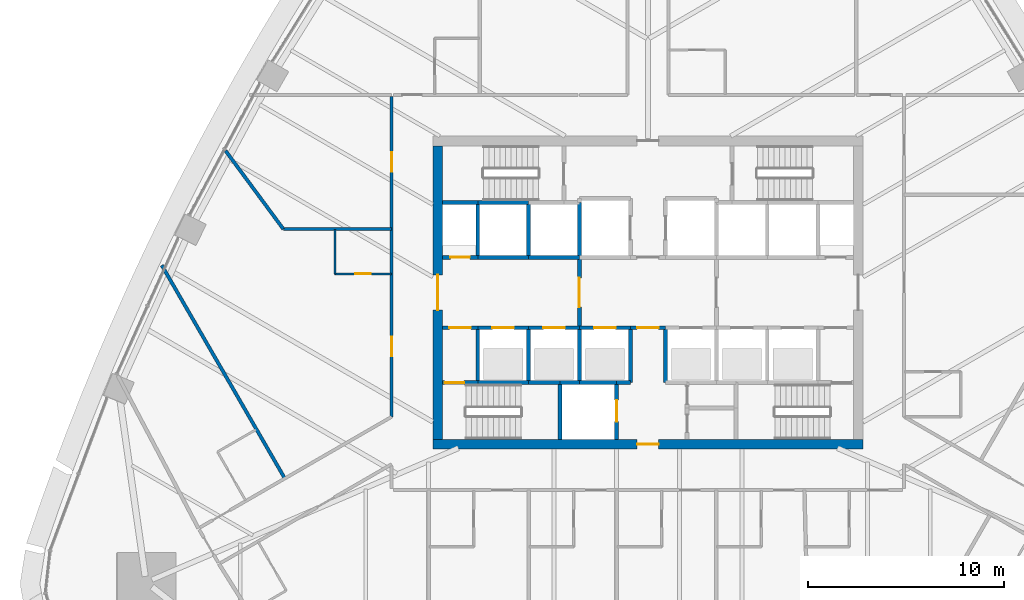
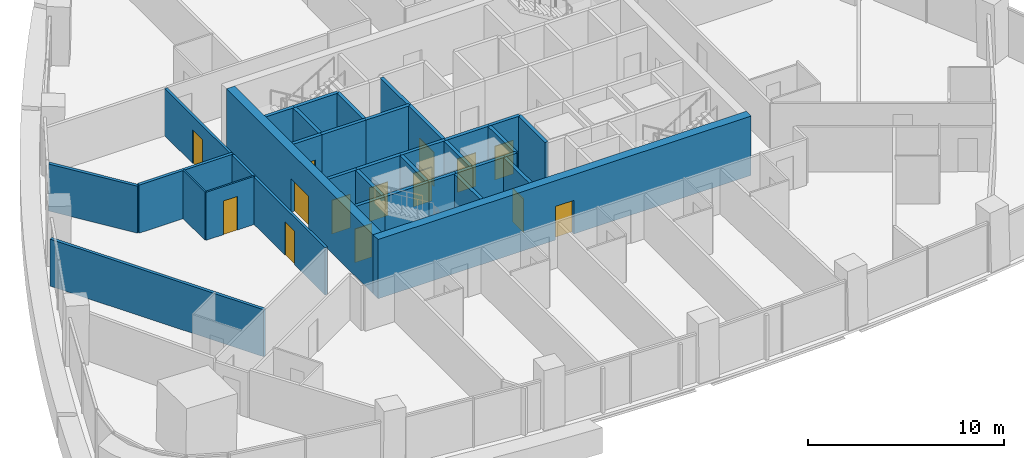
# One storey, part 10 of 17: 35 walls, 14 doors, 14 openings.
"""IFC4 building model written with IfcOpenShell, lengths in metres."""

from ifc_helpers import new_model, si_unit, direction, frame, frame_2d, origin, place, context, subcontext, project, spatial, rectangle, extrude, material, layer, layer_set, type_object, element, fill, save


model = new_model("IFC4")

# Units and contexts
model_context = context("Model", 3, precision=1e-05, world=origin(), true_north=direction((0.0, 1.0)))
body_context = subcontext(model_context, "Body", "Model", "MODEL_VIEW")
ifc_project = project(units=[si_unit("LENGTHUNIT", "METRE"), si_unit("AREAUNIT", "SQUARE_METRE"), si_unit("VOLUMEUNIT", "CUBIC_METRE"), si_unit("PLANEANGLEUNIT", "RADIAN"), si_unit("MASSUNIT", "GRAM", prefix="KILO")], contexts=[model_context])

# Site, building, storey
site_placement = place(None, origin())
site = spatial("IfcSite", under=ifc_project, at=site_placement, CompositionType="ELEMENT")
building_placement = place(site_placement, origin())
building = spatial("IfcBuilding", under=site, at=building_placement, Name="Sierra Prisma Convention Tower", CompositionType="ELEMENT")
storey_placement = place(building_placement, frame((0.0, 0.0, 99.800048828125)))
storey = spatial("IfcBuildingStorey", under=building, at=storey_placement, Name="L21", CompositionType="ELEMENT", Elevation=99.800048828125)

# Wall, opening, door
ifc_material_1 = material(Name="Gypsum board partition", Category="gypsum")
ifc_layer_1 = layer(ifc_material_1, 0.10009765625)
ifc_layer_set_1 = layer_set([ifc_layer_1], Name="Bathroom partition 100")
wall_type_1 = type_object("IfcWallType", Name="Bathroom partition 100", PredefinedType="PARTITIONING", material=ifc_layer_set_1)
wall_1_placement = place(storey_placement, frame((-13.1298828125, 0.94921875, 0.0), z_axis=(0.0, 0.0, 1.0), x_axis=(-1.0, 0.0, 0.0)))
wall_1 = element("IfcWall", 1, at=wall_1_placement, inside=storey, type_object=wall_type_1, Name="Partition L21 bath 5", PredefinedType="PARTITIONING", context=body_context, shape_type="SweptSolid", body=[
    extrude(rectangle(XDim=2.8701171875, YDim=0.10009765625, at=frame_2d((1.43505859375, 0.0))), origin(), (0.0, 0.0, 1.0), 3.0),
])
opening_1_placement = place(wall_1_placement, frame((1.034912109375, 0.0, 0.0)))
opening_1 = element("IfcOpeningElement", 2, at=opening_1_placement, cuts=wall_1, Name="Opening L21-D004", PredefinedType="OPENING", context=body_context, shape_type="SweptSolid", body=[
    extrude(rectangle(XDim=0.800048828125, YDim=2.10009765625, at=frame_2d((0.39990234375, 1.050048828125))), frame((0.0, 0.050048828125, 0.0), z_axis=(0.0, -1.0, 0.0), x_axis=(1.0, 0.0, 0.0)), (0.0, 0.0, 1.0), 0.10009765625),
])
ifc_material_2 = material(Name="Solid core timber door leaf", Category="wood")
door_type_1 = type_object("IfcDoorType", Name="Door 800x2100 plain", OperationType="SINGLE_SWING_LEFT", PredefinedType="DOOR", material=ifc_material_2)
door_1_placement = place(opening_1_placement, origin())
door_1 = element("IfcDoor", 3, at=door_1_placement, inside=storey, type_object=door_type_1, Name="Door L21 11", OperationType="SINGLE_SWING_LEFT", OverallHeight=2.10009765625, OverallWidth=0.800048828125, PredefinedType="DOOR", context=body_context, shape_type="SweptSolid", body=[
    extrude(rectangle(XDim=0.800048828125, YDim=2.10009765625, at=frame_2d((0.39990234375, 1.050048828125))), frame((0.0, 0.02490234375, 0.0), z_axis=(0.0, -1.0, 0.0), x_axis=(1.0, 0.0, 0.0)), (0.0, 0.0, 1.0), 0.050048828125),
])
fill(opening_1, door_1)

# Wall
wall_2_placement = place(storey_placement, frame((-16.0, 0.94921875, 0.0), z_axis=(0.0, 0.0, 1.0), x_axis=(0.0, 1.0, 0.0)))
element("IfcWall", 4, at=wall_2_placement, inside=storey, type_object=wall_type_1, Name="Partition L21 bath 6", PredefinedType="PARTITIONING", context=body_context, shape_type="SweptSolid", body=[
    extrude(rectangle(XDim=2.269775390625, YDim=0.10009765625, at=frame_2d((1.134765625, 0.0))), origin(), (0.0, 0.0, 1.0), 3.0),
])

# Wall, opening, door
ifc_material_3 = material(Name="Concrete C30/37", Category="concrete")
ifc_layer_2 = layer(ifc_material_3, 0.199951171875)
ifc_layer_set_2 = layer_set([ifc_layer_2], Name="Core wall RC 200 C30/37")
wall_type_2 = type_object("IfcWallType", Name="Core wall RC 200 C30/37", PredefinedType="SOLIDWALL", material=ifc_layer_set_2)
wall_3_placement = place(storey_placement, frame((-10.5, -4.60009765625, 0.0), z_axis=(0.0, 0.0, 1.0), x_axis=(1.0, 0.0, 0.0)))
wall_3 = element("IfcWall", 5, at=wall_3_placement, inside=storey, type_object=wall_type_2, Name="Core wall L21 1", PredefinedType="SOLIDWALL", context=body_context, shape_type="SweptSolid", body=[
    extrude(rectangle(XDim=1.800048828125, YDim=0.199951171875, at=frame_2d((0.89990234375, 0.0))), origin(), (0.0, 0.0, 1.0), 3.550048828125),
])
opening_2_placement = place(wall_3_placement, frame((0.10009765625, 0.0, 0.0)))
opening_2 = element("IfcOpeningElement", 6, at=opening_2_placement, cuts=wall_3, Name="Opening L21-D032", PredefinedType="OPENING", context=body_context, shape_type="SweptSolid", body=[
    extrude(rectangle(XDim=1.0, YDim=2.10009765625, at=frame_2d((0.5, 1.050048828125))), frame((0.0, 0.10009765625, 0.0), z_axis=(0.0, -1.0, 0.0), x_axis=(1.0, 0.0, 0.0)), (0.0, 0.0, 1.0), 0.199951171875),
])
ifc_material_4 = material(Name="Steel fire door leaf", Category="steel")
door_type_2 = type_object("IfcDoorType", Name="Door 1000x2100 FD90S", OperationType="SINGLE_SWING_LEFT", PredefinedType="DOOR", material=ifc_material_4)
door_2_placement = place(opening_2_placement, origin())
door_2 = element("IfcDoor", 7, at=door_2_placement, inside=storey, type_object=door_type_2, Name="Door L21 51", OperationType="SINGLE_SWING_LEFT", OverallHeight=2.10009765625, OverallWidth=1.0, PredefinedType="DOOR", context=body_context, shape_type="SweptSolid", body=[
    extrude(rectangle(XDim=1.0, YDim=2.10009765625, at=frame_2d((0.5, 1.050048828125))), frame((0.0, 0.02490234375, 0.0), z_axis=(0.0, -1.0, 0.0), x_axis=(1.0, 0.0, 0.0)), (0.0, 0.0, 1.0), 0.050048828125),
])
fill(opening_2, door_2)

wall_4_placement = place(storey_placement, frame((-10.5, -1.800048828125, 0.0), z_axis=(0.0, 0.0, 1.0), x_axis=(1.0, 0.0, 0.0)))
wall_4 = element("IfcWall", 8, at=wall_4_placement, inside=storey, type_object=wall_type_2, Name="Core wall L21 2", PredefinedType="SOLIDWALL", context=body_context, shape_type="SweptSolid", body=[
    extrude(rectangle(XDim=1.800048828125, YDim=0.199951171875, at=frame_2d((0.89990234375, 0.0))), origin(), (0.0, 0.0, 1.0), 3.550048828125),
])
opening_3_placement = place(wall_4_placement, frame((0.35009765625, 0.0, 0.0)))
opening_3 = element("IfcOpeningElement", 9, at=opening_3_placement, cuts=wall_4, Name="Opening L21-D026", PredefinedType="OPENING", context=body_context, shape_type="SweptSolid", body=[
    extrude(rectangle(XDim=1.10009765625, YDim=2.10009765625, at=frame_2d((0.550048828125, 1.050048828125))), frame((0.0, 0.10009765625, 0.0), z_axis=(0.0, -1.0, 0.0), x_axis=(1.0, 0.0, 0.0)), (0.0, 0.0, 1.0), 0.199951171875),
])
ifc_material_5 = material(Name="Steel fire door leaf", Category="steel")
door_type_3 = type_object("IfcDoorType", Name="Door 1100x2100 FD90S", OperationType="SINGLE_SWING_LEFT", PredefinedType="DOOR", material=ifc_material_5)
door_3_placement = place(opening_3_placement, origin())
door_3 = element("IfcDoor", 10, at=door_3_placement, inside=storey, type_object=door_type_3, Name="Door L21 45", OperationType="SINGLE_SWING_LEFT", OverallHeight=2.10009765625, OverallWidth=1.10009765625, PredefinedType="DOOR", context=body_context, shape_type="SweptSolid", body=[
    extrude(rectangle(XDim=1.10009765625, YDim=2.10009765625, at=frame_2d((0.550048828125, 1.050048828125))), frame((0.0, 0.02490234375, 0.0), z_axis=(0.0, -1.0, 0.0), x_axis=(1.0, 0.0, 0.0)), (0.0, 0.0, 1.0), 0.050048828125),
])
fill(opening_3, door_3)

wall_5_placement = place(storey_placement, frame((-8.699951171875, 1.800048828125, 0.0), z_axis=(0.0, 0.0, 1.0), x_axis=(-1.0, 0.0, 0.0)))
wall_5 = element("IfcWall", 11, at=wall_5_placement, inside=storey, type_object=wall_type_2, Name="Core wall L21 3", PredefinedType="SOLIDWALL", context=body_context, shape_type="SweptSolid", body=[
    extrude(rectangle(XDim=1.800048828125, YDim=0.199951171875, at=frame_2d((0.89990234375, 0.0))), origin(), (0.0, 0.0, 1.0), 3.550048828125),
])
opening_4_placement = place(wall_5_placement, frame((0.39990234375, 0.0, 0.0)))
opening_4 = element("IfcOpeningElement", 12, at=opening_4_placement, cuts=wall_5, Name="Opening L21-D030", PredefinedType="OPENING", context=body_context, shape_type="SweptSolid", body=[
    extrude(rectangle(XDim=1.0, YDim=2.10009765625, at=frame_2d((0.5, 1.050048828125))), frame((0.0, 0.10009765625, 0.0), z_axis=(0.0, -1.0, 0.0), x_axis=(1.0, 0.0, 0.0)), (0.0, 0.0, 1.0), 0.199951171875),
])
ifc_material_6 = material(Name="Steel fire door leaf", Category="steel")
door_type_4 = type_object("IfcDoorType", Name="Door 1000x2100 FD60S", OperationType="SINGLE_SWING_LEFT", PredefinedType="DOOR", material=ifc_material_6)
door_4_placement = place(opening_4_placement, origin())
door_4 = element("IfcDoor", 13, at=door_4_placement, inside=storey, type_object=door_type_4, Name="Door L21 49", OperationType="SINGLE_SWING_RIGHT", OverallHeight=2.10009765625, OverallWidth=1.0, PredefinedType="DOOR", context=body_context, shape_type="SweptSolid", body=[
    extrude(rectangle(XDim=1.0, YDim=2.10009765625, at=frame_2d((0.5, 1.050048828125))), frame((0.0, 0.02490234375, 0.0), z_axis=(0.0, -1.0, 0.0), x_axis=(1.0, 0.0, 0.0)), (0.0, 0.0, 1.0), 0.050048828125),
])
fill(opening_4, door_4)

# Walls
wall_6_placement = place(storey_placement, frame((-8.699951171875, 4.60009765625, 0.0), z_axis=(0.0, 0.0, 1.0), x_axis=(-1.0, 0.0, 0.0)))
element("IfcWall", 14, at=wall_6_placement, inside=storey, type_object=wall_type_2, Name="Core wall L21 4", PredefinedType="SOLIDWALL", context=body_context, shape_type="SweptSolid", body=[
    extrude(rectangle(XDim=1.800048828125, YDim=0.199951171875, at=frame_2d((0.89990234375, 0.0))), origin(), (0.0, 0.0, 1.0), 3.550048828125),
])
wall_7_placement = place(storey_placement, frame((-8.699951171875, -4.60009765625, 0.0), z_axis=(0.0, 0.0, 1.0), x_axis=(1.0, 0.0, 0.0)))
element("IfcWall", 15, at=wall_7_placement, inside=storey, type_object=wall_type_2, Name="Core wall L21 5", PredefinedType="SOLIDWALL", context=body_context, shape_type="SweptSolid", body=[
    extrude(rectangle(XDim=2.599853515625, YDim=0.199951171875, at=frame_2d((1.2998046875, 0.0))), origin(), (0.0, 0.0, 1.0), 3.550048828125),
])
wall_8_placement = place(storey_placement, frame((-8.699951171875, -4.60009765625, 0.0), z_axis=(0.0, 0.0, 1.0), x_axis=(0.0, 1.0, 0.0)))
element("IfcWall", 16, at=wall_8_placement, inside=storey, type_object=wall_type_2, Name="Core wall L21 6", PredefinedType="SOLIDWALL", context=body_context, shape_type="SweptSolid", body=[
    extrude(rectangle(XDim=2.800048828125, YDim=0.199951171875, at=frame_2d((1.39990234375, 0.0))), origin(), (0.0, 0.0, 1.0), 3.550048828125),
])

# Wall, opening, door
wall_9_placement = place(storey_placement, frame((-8.699951171875, -1.800048828125, 0.0), z_axis=(0.0, 0.0, 1.0), x_axis=(1.0, 0.0, 0.0)))
wall_9 = element("IfcWall", 17, at=wall_9_placement, inside=storey, type_object=wall_type_2, Name="Core wall L21 7", PredefinedType="SOLIDWALL", context=body_context, shape_type="SweptSolid", body=[
    extrude(rectangle(XDim=2.599853515625, YDim=0.199951171875, at=frame_2d((1.2998046875, 0.0))), origin(), (0.0, 0.0, 1.0), 3.550048828125),
])
opening_5_placement = place(wall_9_placement, frame((0.75, 0.0, 0.0)))
opening_5 = element("IfcOpeningElement", 18, at=opening_5_placement, cuts=wall_9, Name="Opening L21-D015", PredefinedType="OPENING", context=body_context, shape_type="SweptSolid", body=[
    extrude(rectangle(XDim=1.10009765625, YDim=2.10009765625, at=frame_2d((0.550048828125, 1.050048828125))), frame((0.0, 0.10009765625, 0.0), z_axis=(0.0, -1.0, 0.0), x_axis=(1.0, 0.0, 0.0)), (0.0, 0.0, 1.0), 0.199951171875),
])
ifc_material_7 = material(Name="Steel fire door leaf", Category="steel")
door_type_5 = type_object("IfcDoorType", Name="Door 1100x2100 EI 90 sliding lift landing", OperationType="SLIDING_TO_LEFT", PredefinedType="DOOR", material=ifc_material_7)
door_5_placement = place(opening_5_placement, origin())
door_5 = element("IfcDoor", 19, at=door_5_placement, inside=storey, type_object=door_type_5, Name="Door L21 34", OperationType="SLIDING_TO_RIGHT", OverallHeight=2.10009765625, OverallWidth=1.10009765625, PredefinedType="DOOR", context=body_context, shape_type="SweptSolid", body=[
    extrude(rectangle(XDim=1.10009765625, YDim=2.10009765625, at=frame_2d((0.550048828125, 1.050048828125))), frame((0.0, 0.02490234375, 0.0), z_axis=(0.0, -1.0, 0.0), x_axis=(1.0, 0.0, 0.0)), (0.0, 0.0, 1.0), 0.050048828125),
])
fill(opening_5, door_5)

# Walls
wall_10_placement = place(storey_placement, frame((-6.10009765625, 1.800048828125, 0.0), z_axis=(0.0, 0.0, 1.0), x_axis=(-1.0, 0.0, 0.0)))
element("IfcWall", 20, at=wall_10_placement, inside=storey, type_object=wall_type_2, Name="Core wall L21 8", PredefinedType="SOLIDWALL", context=body_context, shape_type="SweptSolid", body=[
    extrude(rectangle(XDim=2.599853515625, YDim=0.199951171875, at=frame_2d((1.2998046875, 0.0))), origin(), (0.0, 0.0, 1.0), 3.550048828125),
])
wall_11_placement = place(storey_placement, frame((-8.699951171875, 1.800048828125, 0.0), z_axis=(0.0, 0.0, 1.0), x_axis=(0.0, 1.0, 0.0)))
element("IfcWall", 21, at=wall_11_placement, inside=storey, type_object=wall_type_2, Name="Core wall L21 9", PredefinedType="SOLIDWALL", context=body_context, shape_type="SweptSolid", body=[
    extrude(rectangle(XDim=2.800048828125, YDim=0.199951171875, at=frame_2d((1.39990234375, 0.0))), origin(), (0.0, 0.0, 1.0), 3.550048828125),
])
wall_12_placement = place(storey_placement, frame((-6.10009765625, 4.60009765625, 0.0), z_axis=(0.0, 0.0, 1.0), x_axis=(-1.0, 0.0, 0.0)))
element("IfcWall", 22, at=wall_12_placement, inside=storey, type_object=wall_type_2, Name="Core wall L21 10", PredefinedType="SOLIDWALL", context=body_context, shape_type="SweptSolid", body=[
    extrude(rectangle(XDim=2.599853515625, YDim=0.199951171875, at=frame_2d((1.2998046875, 0.0))), origin(), (0.0, 0.0, 1.0), 3.550048828125),
])
wall_13_placement = place(storey_placement, frame((-6.10009765625, -4.60009765625, 0.0), z_axis=(0.0, 0.0, 1.0), x_axis=(1.0, 0.0, 0.0)))
element("IfcWall", 23, at=wall_13_placement, inside=storey, type_object=wall_type_2, Name="Core wall L21 11", PredefinedType="SOLIDWALL", context=body_context, shape_type="SweptSolid", body=[
    extrude(rectangle(XDim=1.60009765625, YDim=0.199951171875, at=frame_2d((0.800048828125, 0.0))), origin(), (0.0, 0.0, 1.0), 3.550048828125),
])
wall_14_placement = place(storey_placement, frame((-6.10009765625, -4.60009765625, 0.0), z_axis=(0.0, 0.0, 1.0), x_axis=(0.0, 1.0, 0.0)))
element("IfcWall", 24, at=wall_14_placement, inside=storey, type_object=wall_type_2, Name="Core wall L21 12", PredefinedType="SOLIDWALL", context=body_context, shape_type="SweptSolid", body=[
    extrude(rectangle(XDim=2.800048828125, YDim=0.199951171875, at=frame_2d((1.39990234375, 0.0))), origin(), (0.0, 0.0, 1.0), 3.550048828125),
])

# Wall, opening, door
wall_15_placement = place(storey_placement, frame((-6.10009765625, -1.800048828125, 0.0), z_axis=(0.0, 0.0, 1.0), x_axis=(1.0, 0.0, 0.0)))
wall_15 = element("IfcWall", 25, at=wall_15_placement, inside=storey, type_object=wall_type_2, Name="Core wall L21 13", PredefinedType="SOLIDWALL", context=body_context, shape_type="SweptSolid", body=[
    extrude(rectangle(XDim=2.60009765625, YDim=0.199951171875, at=frame_2d((1.300048828125, 0.0))), origin(), (0.0, 0.0, 1.0), 3.550048828125),
])
opening_6_placement = place(wall_15_placement, frame((0.75, 0.0, 0.0)))
opening_6 = element("IfcOpeningElement", 26, at=opening_6_placement, cuts=wall_15, Name="Opening L21-D016", PredefinedType="OPENING", context=body_context, shape_type="SweptSolid", body=[
    extrude(rectangle(XDim=1.10009765625, YDim=2.10009765625, at=frame_2d((0.550048828125, 1.050048828125))), frame((0.0, 0.10009765625, 0.0), z_axis=(0.0, -1.0, 0.0), x_axis=(1.0, 0.0, 0.0)), (0.0, 0.0, 1.0), 0.199951171875),
])
door_6_placement = place(opening_6_placement, origin())
door_6 = element("IfcDoor", 27, at=door_6_placement, inside=storey, type_object=door_type_5, Name="Door L21 35", OperationType="SLIDING_TO_LEFT", OverallHeight=2.10009765625, OverallWidth=1.10009765625, PredefinedType="DOOR", context=body_context, shape_type="SweptSolid", body=[
    extrude(rectangle(XDim=1.10009765625, YDim=2.10009765625, at=frame_2d((0.550048828125, 1.050048828125))), frame((0.0, 0.02490234375, 0.0), z_axis=(0.0, -1.0, 0.0), x_axis=(1.0, 0.0, 0.0)), (0.0, 0.0, 1.0), 0.050048828125),
])
fill(opening_6, door_6)

# Walls
wall_16_placement = place(storey_placement, frame((-3.5, 1.800048828125, 0.0), z_axis=(0.0, 0.0, 1.0), x_axis=(-1.0, 0.0, 0.0)))
element("IfcWall", 28, at=wall_16_placement, inside=storey, type_object=wall_type_2, Name="Core wall L21 14", PredefinedType="SOLIDWALL", context=body_context, shape_type="SweptSolid", body=[
    extrude(rectangle(XDim=2.60009765625, YDim=0.199951171875, at=frame_2d((1.300048828125, 0.0))), origin(), (0.0, 0.0, 1.0), 3.550048828125),
])
wall_17_placement = place(storey_placement, frame((-6.10009765625, 1.800048828125, 0.0), z_axis=(0.0, 0.0, 1.0), x_axis=(0.0, 1.0, 0.0)))
element("IfcWall", 29, at=wall_17_placement, inside=storey, type_object=wall_type_2, Name="Core wall L21 15", PredefinedType="SOLIDWALL", context=body_context, shape_type="SweptSolid", body=[
    extrude(rectangle(XDim=2.800048828125, YDim=0.199951171875, at=frame_2d((1.39990234375, 0.0))), origin(), (0.0, 0.0, 1.0), 3.550048828125),
])
wall_18_placement = place(storey_placement, frame((-4.5, -4.60009765625, 0.0), z_axis=(0.0, 0.0, 1.0), x_axis=(0.0, -1.0, 0.0)))
element("IfcWall", 30, at=wall_18_placement, inside=storey, type_object=wall_type_2, Name="Core wall L21 17", PredefinedType="SOLIDWALL", context=body_context, shape_type="SweptSolid", body=[
    extrude(rectangle(XDim=2.89990234375, YDim=0.199951171875, at=frame_2d((1.449951171875, 0.0))), origin(), (0.0, 0.0, 1.0), 3.550048828125),
])
wall_19_placement = place(storey_placement, frame((-4.5, -4.60009765625, 0.0), z_axis=(0.0, 0.0, 1.0), x_axis=(1.0, 0.0, 0.0)))
element("IfcWall", 31, at=wall_19_placement, inside=storey, type_object=wall_type_2, Name="Core wall L21 18", PredefinedType="SOLIDWALL", context=body_context, shape_type="SweptSolid", body=[
    extrude(rectangle(XDim=1.0, YDim=0.199951171875, at=frame_2d((0.5, 0.0))), origin(), (0.0, 0.0, 1.0), 3.550048828125),
])
wall_20_placement = place(storey_placement, frame((-3.5, -4.60009765625, 0.0), z_axis=(0.0, 0.0, 1.0), x_axis=(1.0, 0.0, 0.0)))
element("IfcWall", 32, at=wall_20_placement, inside=storey, type_object=wall_type_2, Name="Core wall L21 21", PredefinedType="SOLIDWALL", context=body_context, shape_type="SweptSolid", body=[
    extrude(rectangle(XDim=1.89990234375, YDim=0.199951171875, at=frame_2d((0.949951171875, 0.0))), origin(), (0.0, 0.0, 1.0), 3.550048828125),
])
wall_21_placement = place(storey_placement, frame((-3.5, -4.60009765625, 0.0), z_axis=(0.0, 0.0, 1.0), x_axis=(0.0, 1.0, 0.0)))
element("IfcWall", 33, at=wall_21_placement, inside=storey, type_object=wall_type_2, Name="Core wall L21 22", PredefinedType="SOLIDWALL", context=body_context, shape_type="SweptSolid", body=[
    extrude(rectangle(XDim=2.800048828125, YDim=0.199951171875, at=frame_2d((1.39990234375, 0.0))), origin(), (0.0, 0.0, 1.0), 3.550048828125),
])

# Wall, opening, door
wall_22_placement = place(storey_placement, frame((-3.5, -1.800048828125, 0.0), z_axis=(0.0, 0.0, 1.0), x_axis=(1.0, 0.0, 0.0)))
wall_22 = element("IfcWall", 34, at=wall_22_placement, inside=storey, type_object=wall_type_2, Name="Core wall L21 23", PredefinedType="SOLIDWALL", context=body_context, shape_type="SweptSolid", body=[
    extrude(rectangle(XDim=2.60009765625, YDim=0.199951171875, at=frame_2d((1.300048828125, 0.0))), origin(), (0.0, 0.0, 1.0), 3.550048828125),
])
opening_7_placement = place(wall_22_placement, frame((0.75, 0.0, 0.0)))
opening_7 = element("IfcOpeningElement", 35, at=opening_7_placement, cuts=wall_22, Name="Opening L21-D017", PredefinedType="OPENING", context=body_context, shape_type="SweptSolid", body=[
    extrude(rectangle(XDim=1.10009765625, YDim=2.10009765625, at=frame_2d((0.550048828125, 1.050048828125))), frame((0.0, 0.10009765625, 0.0), z_axis=(0.0, -1.0, 0.0), x_axis=(1.0, 0.0, 0.0)), (0.0, 0.0, 1.0), 0.199951171875),
])
door_7_placement = place(opening_7_placement, origin())
door_7 = element("IfcDoor", 36, at=door_7_placement, inside=storey, type_object=door_type_5, Name="Door L21 36", OperationType="SLIDING_TO_LEFT", OverallHeight=2.10009765625, OverallWidth=1.10009765625, PredefinedType="DOOR", context=body_context, shape_type="SweptSolid", body=[
    extrude(rectangle(XDim=1.10009765625, YDim=2.10009765625, at=frame_2d((0.550048828125, 1.050048828125))), frame((0.0, 0.02490234375, 0.0), z_axis=(0.0, -1.0, 0.0), x_axis=(1.0, 0.0, 0.0)), (0.0, 0.0, 1.0), 0.050048828125),
])
fill(opening_7, door_7)

wall_23_placement = place(storey_placement, frame((-3.5, 1.800048828125, 0.0), z_axis=(0.0, 0.0, 1.0), x_axis=(0.0, -1.0, 0.0)))
wall_23 = element("IfcWall", 37, at=wall_23_placement, inside=storey, type_object=wall_type_2, Name="Core wall L21 24", PredefinedType="SOLIDWALL", context=body_context, shape_type="SweptSolid", body=[
    extrude(rectangle(XDim=3.60009765625, YDim=0.199951171875, at=frame_2d((1.800048828125, 0.0))), origin(), (0.0, 0.0, 1.0), 3.550048828125),
])
opening_8_placement = place(wall_23_placement, frame((1.050048828125, 0.0, 0.0)))
opening_8 = element("IfcOpeningElement", 38, at=opening_8_placement, cuts=wall_23, Name="Opening L21-D024", PredefinedType="OPENING", context=body_context, shape_type="SweptSolid", body=[
    extrude(rectangle(XDim=1.5, YDim=2.10009765625, at=frame_2d((0.75, 1.050048828125))), frame((0.0, 0.10009765625, 0.0), z_axis=(0.0, -1.0, 0.0), x_axis=(1.0, 0.0, 0.0)), (0.0, 0.0, 1.0), 0.199951171875),
])
ifc_material_8 = material(Name="Steel fire door leaf", Category="steel")
door_type_6 = type_object("IfcDoorType", Name="Door 1500x2100 FD30S", OperationType="DOUBLE_DOOR_SINGLE_SWING", PredefinedType="DOOR", material=ifc_material_8)
door_8_placement = place(opening_8_placement, origin())
door_8 = element("IfcDoor", 39, at=door_8_placement, inside=storey, type_object=door_type_6, Name="Door L21 43", OperationType="DOUBLE_DOOR_SINGLE_SWING", OverallHeight=2.10009765625, OverallWidth=1.5, PredefinedType="DOOR", context=body_context, shape_type="SweptSolid", body=[
    extrude(rectangle(XDim=1.5, YDim=2.10009765625, at=frame_2d((0.75, 1.050048828125))), frame((0.0, 0.02490234375, 0.0), z_axis=(0.0, -1.0, 0.0), x_axis=(1.0, 0.0, 0.0)), (0.0, 0.0, 1.0), 0.050048828125),
])
fill(opening_8, door_8)

# Wall
wall_24_placement = place(storey_placement, frame((-3.5, 4.60009765625, 0.0), z_axis=(0.0, 0.0, 1.0), x_axis=(0.0, -1.0, 0.0)))
element("IfcWall", 40, at=wall_24_placement, inside=storey, type_object=wall_type_2, Name="Core wall L21 26", PredefinedType="SOLIDWALL", context=body_context, shape_type="SweptSolid", body=[
    extrude(rectangle(XDim=2.800048828125, YDim=0.199951171875, at=frame_2d((1.39990234375, 0.0))), origin(), (0.0, 0.0, 1.0), 3.550048828125),
])

# Wall, opening, door
wall_25_placement = place(storey_placement, frame((-1.60009765625, -7.5, 0.0), z_axis=(0.0, 0.0, 1.0), x_axis=(0.0, 1.0, 0.0)))
wall_25 = element("IfcWall", 41, at=wall_25_placement, inside=storey, type_object=wall_type_2, Name="Core wall L21 30", PredefinedType="SOLIDWALL", context=body_context, shape_type="SweptSolid", body=[
    extrude(rectangle(XDim=2.89990234375, YDim=0.199951171875, at=frame_2d((1.449951171875, 0.0))), origin(), (0.0, 0.0, 1.0), 3.550048828125),
])
opening_9_placement = place(wall_25_placement, frame((0.89990234375, 0.0, 0.0)))
opening_9 = element("IfcOpeningElement", 42, at=opening_9_placement, cuts=wall_25, Name="Opening L21-D023", PredefinedType="OPENING", context=body_context, shape_type="SweptSolid", body=[
    extrude(rectangle(XDim=1.10009765625, YDim=2.10009765625, at=frame_2d((0.550048828125, 1.050048828125))), frame((0.0, 0.10009765625, 0.0), z_axis=(0.0, -1.0, 0.0), x_axis=(1.0, 0.0, 0.0)), (0.0, 0.0, 1.0), 0.199951171875),
])
door_9_placement = place(opening_9_placement, origin())
door_9 = element("IfcDoor", 43, at=door_9_placement, inside=storey, type_object=door_type_5, Name="Door L21 42", OperationType="SLIDING_TO_LEFT", OverallHeight=2.10009765625, OverallWidth=1.10009765625, PredefinedType="DOOR", context=body_context, shape_type="SweptSolid", body=[
    extrude(rectangle(XDim=1.10009765625, YDim=2.10009765625, at=frame_2d((0.550048828125, 1.050048828125))), frame((0.0, 0.02490234375, 0.0), z_axis=(0.0, -1.0, 0.0), x_axis=(1.0, 0.0, 0.0)), (0.0, 0.0, 1.0), 0.050048828125),
])
fill(opening_9, door_9)

# Walls
wall_26_placement = place(storey_placement, frame((-1.60009765625, -4.60009765625, 0.0), z_axis=(0.0, 0.0, 1.0), x_axis=(1.0, 0.0, 0.0)))
element("IfcWall", 44, at=wall_26_placement, inside=storey, type_object=wall_type_2, Name="Core wall L21 31", PredefinedType="SOLIDWALL", context=body_context, shape_type="SweptSolid", body=[
    extrude(rectangle(XDim=0.7001953125, YDim=0.199951171875, at=frame_2d((0.35009765625, 0.0))), origin(), (0.0, 0.0, 1.0), 3.550048828125),
])
wall_27_placement = place(storey_placement, frame((-0.89990234375, -4.60009765625, 0.0), z_axis=(0.0, 0.0, 1.0), x_axis=(0.0, 1.0, 0.0)))
element("IfcWall", 45, at=wall_27_placement, inside=storey, type_object=wall_type_2, Name="Core wall L21 32", PredefinedType="SOLIDWALL", context=body_context, shape_type="SweptSolid", body=[
    extrude(rectangle(XDim=2.800048828125, YDim=0.199951171875, at=frame_2d((1.39990234375, 0.0))), origin(), (0.0, 0.0, 1.0), 3.550048828125),
])

# Wall, opening, door
wall_28_placement = place(storey_placement, frame((-0.89990234375, -1.800048828125, 0.0), z_axis=(0.0, 0.0, 1.0), x_axis=(1.0, 0.0, 0.0)))
wall_28 = element("IfcWall", 46, at=wall_28_placement, inside=storey, type_object=wall_type_2, Name="Core wall L21 33", PredefinedType="SOLIDWALL", context=body_context, shape_type="SweptSolid", body=[
    extrude(rectangle(XDim=1.7998046875, YDim=0.199951171875, at=frame_2d((0.89990234375, 0.0))), origin(), (0.0, 0.0, 1.0), 3.550048828125),
])
opening_10_placement = place(wall_28_placement, frame((0.35009765625, 0.0, 0.0)))
opening_10 = element("IfcOpeningElement", 47, at=opening_10_placement, cuts=wall_28, Name="Opening L21-D029", PredefinedType="OPENING", context=body_context, shape_type="SweptSolid", body=[
    extrude(rectangle(XDim=1.10009765625, YDim=2.10009765625, at=frame_2d((0.550048828125, 1.050048828125))), frame((0.0, 0.10009765625, 0.0), z_axis=(0.0, -1.0, 0.0), x_axis=(1.0, 0.0, 0.0)), (0.0, 0.0, 1.0), 0.199951171875),
])
ifc_material_9 = material(Name="Steel fire door leaf", Category="steel")
door_type_7 = type_object("IfcDoorType", Name="Door 1100x2100 FD30S", OperationType="SINGLE_SWING_LEFT", PredefinedType="DOOR", material=ifc_material_9)
door_10_placement = place(opening_10_placement, origin())
door_10 = element("IfcDoor", 48, at=door_10_placement, inside=storey, type_object=door_type_7, Name="Door L21 48", OperationType="SINGLE_SWING_LEFT", OverallHeight=2.10009765625, OverallWidth=1.10009765625, PredefinedType="DOOR", context=body_context, shape_type="SweptSolid", body=[
    extrude(rectangle(XDim=1.10009765625, YDim=2.10009765625, at=frame_2d((0.550048828125, 1.050048828125))), frame((0.0, 0.02490234375, 0.0), z_axis=(0.0, -1.0, 0.0), x_axis=(1.0, 0.0, 0.0)), (0.0, 0.0, 1.0), 0.050048828125),
])
fill(opening_10, door_10)

# Wall
wall_29_placement = place(storey_placement, frame((0.89990234375, -1.800048828125, 0.0), z_axis=(0.0, 0.0, 1.0), x_axis=(0.0, -1.0, 0.0)))
element("IfcWall", 49, at=wall_29_placement, inside=storey, type_object=wall_type_2, Name="Core wall L21 36", PredefinedType="SOLIDWALL", context=body_context, shape_type="SweptSolid", body=[
    extrude(rectangle(XDim=2.800048828125, YDim=0.199951171875, at=frame_2d((1.39990234375, 0.0))), origin(), (0.0, 0.0, 1.0), 3.550048828125),
])

# Wall, opening, door
ifc_material_10 = material(Name="Concrete C60/75", Category="concrete")
ifc_layer_3 = layer(ifc_material_10, 0.5)
ifc_layer_set_3 = layer_set([ifc_layer_3], Name="Core wall RC 500 C60/75")
wall_type_3 = type_object("IfcWallType", Name="Core wall RC 500 C60/75", PredefinedType="SHEAR", material=ifc_layer_set_3)
wall_30_placement = place(storey_placement, frame((-11.0, -7.75, 0.0), z_axis=(0.0, 0.0, 1.0), x_axis=(1.0, 0.0, 0.0)))
wall_30 = element("IfcWall", 50, at=wall_30_placement, inside=storey, type_object=wall_type_3, Name="Core wall S L21", PredefinedType="SHEAR", context=body_context, shape_type="SweptSolid", body=[
    extrude(rectangle(XDim=22.0, YDim=0.5, at=frame_2d((11.0, 0.0))), origin(), (0.0, 0.0, 1.0), 3.699951171875),
])
opening_11_placement = place(wall_30_placement, frame((10.449951171875, 0.0, 0.0)))
opening_11 = element("IfcOpeningElement", 51, at=opening_11_placement, cuts=wall_30, Name="Opening L21-D059", PredefinedType="OPENING", context=body_context, shape_type="SweptSolid", body=[
    extrude(rectangle(XDim=1.10009765625, YDim=2.10009765625, at=frame_2d((0.550048828125, 1.050048828125))), frame((0.0, 0.25, 0.0), z_axis=(0.0, -1.0, 0.0), x_axis=(1.0, 0.0, 0.0)), (0.0, 0.0, 1.0), 0.5),
])
door_11_placement = place(opening_11_placement, origin())
door_11 = element("IfcDoor", 52, at=door_11_placement, inside=storey, type_object=door_type_7, Name="Door L21 60", OperationType="SINGLE_SWING_LEFT", OverallHeight=2.10009765625, OverallWidth=1.10009765625, PredefinedType="DOOR", context=body_context, shape_type="SweptSolid", body=[
    extrude(rectangle(XDim=1.10009765625, YDim=2.10009765625, at=frame_2d((0.550048828125, 1.050048828125))), frame((0.0, 0.02490234375, 0.0), z_axis=(0.0, -1.0, 0.0), x_axis=(1.0, 0.0, 0.0)), (0.0, 0.0, 1.0), 0.050048828125),
])
fill(opening_11, door_11)

wall_31_placement = place(storey_placement, frame((-10.75, -7.5, 0.0), z_axis=(0.0, 0.0, 1.0), x_axis=(0.0, 1.0, 0.0)))
wall_31 = element("IfcWall", 53, at=wall_31_placement, inside=storey, type_object=wall_type_3, Name="Core wall W L21", PredefinedType="SHEAR", context=body_context, shape_type="SweptSolid", body=[
    extrude(rectangle(XDim=15.0, YDim=0.5, at=frame_2d((7.5, 0.0))), origin(), (0.0, 0.0, 1.0), 3.699951171875),
])
opening_12_placement = place(wall_31_placement, frame((6.60009765625, 0.0, 0.0)))
opening_12 = element("IfcOpeningElement", 54, at=opening_12_placement, cuts=wall_31, Name="Opening L21-D060", PredefinedType="OPENING", context=body_context, shape_type="SweptSolid", body=[
    extrude(rectangle(XDim=1.800048828125, YDim=2.10009765625, at=frame_2d((0.89990234375, 1.050048828125))), frame((0.0, 0.25, 0.0), z_axis=(0.0, -1.0, 0.0), x_axis=(1.0, 0.0, 0.0)), (0.0, 0.0, 1.0), 0.5),
])
ifc_material_11 = material(Name="Steel fire door leaf", Category="steel")
door_type_8 = type_object("IfcDoorType", Name="Door 1800x2100 FD60S", OperationType="DOUBLE_DOOR_SINGLE_SWING", PredefinedType="DOOR", material=ifc_material_11)
door_12_placement = place(opening_12_placement, origin())
door_12 = element("IfcDoor", 55, at=door_12_placement, inside=storey, type_object=door_type_8, Name="Door L21 57", OperationType="DOUBLE_DOOR_SINGLE_SWING", OverallHeight=2.10009765625, OverallWidth=1.800048828125, PredefinedType="DOOR", context=body_context, shape_type="SweptSolid", body=[
    extrude(rectangle(XDim=1.800048828125, YDim=2.10009765625, at=frame_2d((0.89990234375, 1.050048828125))), frame((0.0, 0.02490234375, 0.0), z_axis=(0.0, -1.0, 0.0), x_axis=(1.0, 0.0, 0.0)), (0.0, 0.0, 1.0), 0.050048828125),
])
fill(opening_12, door_12)

# Wall, openings, doors
ifc_material_12 = material(Name="Gypsum board partition", Category="gypsum")
ifc_layer_4 = layer(ifc_material_12, 0.14990234375)
ifc_layer_set_4 = layer_set([ifc_layer_4], Name="Corridor wall 150 gypsum EI 60")
wall_type_4 = type_object("IfcWallType", Name="Corridor wall 150 gypsum EI 60", PredefinedType="PARTITIONING", material=ifc_layer_set_4)
wall_32_placement = place(storey_placement, frame((-13.10009765625, 10.02001953125, 0.0), z_axis=(0.0, 0.0, 1.0), x_axis=(0.0, -1.0, 0.0)))
wall_32 = element("IfcWall", 56, at=wall_32_placement, inside=storey, type_object=wall_type_4, Name="Partition L21 corr 2", PredefinedType="PARTITIONING", context=body_context, shape_type="SweptSolid", body=[
    extrude(rectangle(XDim=16.370849609375, YDim=0.14990234375, at=frame_2d((8.185546875, 0.0))), origin(), (0.0, 0.0, 1.0), 2.947021484375),
])
opening_13_placement = place(wall_32_placement, frame((2.845458984375, 0.0, 0.0)))
opening_13 = element("IfcOpeningElement", 57, at=opening_13_placement, cuts=wall_32, Name="Opening L21-D043", PredefinedType="OPENING", context=body_context, shape_type="SweptSolid", body=[
    extrude(rectangle(XDim=1.0, YDim=2.10009765625, at=frame_2d((0.5, 1.050048828125))), frame((0.0, 0.074951171875, 0.0), z_axis=(0.0, -1.0, 0.0), x_axis=(1.0, 0.0, 0.0)), (0.0, 0.0, 1.0), 0.14990234375),
])
opening_14_placement = place(wall_32_placement, frame((12.27099609375, 0.0, 0.0)))
opening_14 = element("IfcOpeningElement", 58, at=opening_14_placement, cuts=wall_32, Name="Opening L21-D044", PredefinedType="OPENING", context=body_context, shape_type="SweptSolid", body=[
    extrude(rectangle(XDim=1.0, YDim=2.10009765625, at=frame_2d((0.5, 1.050048828125))), frame((0.0, 0.074951171875, 0.0), z_axis=(0.0, -1.0, 0.0), x_axis=(1.0, 0.0, 0.0)), (0.0, 0.0, 1.0), 0.14990234375),
])
ifc_material_13 = material(Name="Steel fire door leaf", Category="steel")
door_type_9 = type_object("IfcDoorType", Name="Door 1000x2100 FD30S", OperationType="SINGLE_SWING_LEFT", PredefinedType="DOOR", material=ifc_material_13)
door_13_placement = place(opening_13_placement, origin())
door_13 = element("IfcDoor", 59, at=door_13_placement, inside=storey, type_object=door_type_9, Name="Door L21 9", OperationType="SINGLE_SWING_LEFT", OverallHeight=2.10009765625, OverallWidth=1.0, PredefinedType="DOOR", context=body_context, shape_type="SweptSolid", body=[
    extrude(rectangle(XDim=1.0, YDim=2.10009765625, at=frame_2d((0.5, 1.050048828125))), frame((0.0, 0.02490234375, 0.0), z_axis=(0.0, -1.0, 0.0), x_axis=(1.0, 0.0, 0.0)), (0.0, 0.0, 1.0), 0.050048828125),
])
fill(opening_13, door_13)
door_14_placement = place(opening_14_placement, origin())
door_14 = element("IfcDoor", 60, at=door_14_placement, inside=storey, type_object=door_type_9, Name="Door L21 10", OperationType="SINGLE_SWING_LEFT", OverallHeight=2.10009765625, OverallWidth=1.0, PredefinedType="DOOR", context=body_context, shape_type="SweptSolid", body=[
    extrude(rectangle(XDim=1.0, YDim=2.10009765625, at=frame_2d((0.5, 1.050048828125))), frame((0.0, 0.02490234375, 0.0), z_axis=(0.0, -1.0, 0.0), x_axis=(1.0, 0.0, 0.0)), (0.0, 0.0, 1.0), 0.050048828125),
])
fill(opening_14, door_14)

# Walls
ifc_material_14 = material(Name="Acoustic gypsum board partition", Category="gypsum")
ifc_layer_5 = layer(ifc_material_14, 0.175048828125)
ifc_layer_set_5 = layer_set([ifc_layer_5], Name="Guest room party wall 175 acoustic EI 60")
wall_type_5 = type_object("IfcWallType", Name="Guest room party wall 175 acoustic EI 60", PredefinedType="PARTITIONING", material=ifc_layer_set_5)
wall_33_placement = place(storey_placement, frame((-18.563232421875, -9.505126953125, 0.0), z_axis=(0.0, 0.0, 1.0), x_axis=(-0.500006767202, 0.866021496703, 0.0)))
element("IfcWall", 61, at=wall_33_placement, inside=storey, type_object=wall_type_5, Name="Partition L21 hparty 2", PredefinedType="PARTITIONING", context=body_context, shape_type="SweptSolid", body=[
    extrude(rectangle(XDim=12.586669921875, YDim=0.175048828125, at=frame_2d((6.29345703125, 0.0))), origin(), (0.0, 0.0, 1.0), 2.933837890625),
])
wall_34_placement = place(storey_placement, frame((-21.59619140625, 7.251953125, 0.0), z_axis=(0.0, 0.0, 1.0), x_axis=(0.593731264, -0.804663399285, 0.0)))
element("IfcWall", 62, at=wall_34_placement, inside=storey, type_object=wall_type_5, Name="Partition L21 hparty 4", PredefinedType="PARTITIONING", context=body_context, shape_type="SweptSolid", body=[
    extrude(rectangle(XDim=4.974609375, YDim=0.175048828125, at=frame_2d((2.4873046875, 0.0))), origin(), (0.0, 0.0, 1.0), 2.933837890625),
])
wall_35_placement = place(storey_placement, frame((-18.642578125, 3.2490234375, 0.0), z_axis=(0.0, 0.0, 1.0), x_axis=(1.0, 0.0, 0.0)))
element("IfcWall", 63, at=wall_35_placement, inside=storey, type_object=wall_type_5, Name="Partition L21 hparty 5", PredefinedType="PARTITIONING", context=body_context, shape_type="SweptSolid", body=[
    extrude(rectangle(XDim=5.54248046875, YDim=0.175048828125, at=frame_2d((2.771240234375, 0.0))), origin(), (0.0, 0.0, 1.0), 3.0),
])

save(model, "model.ifc")
